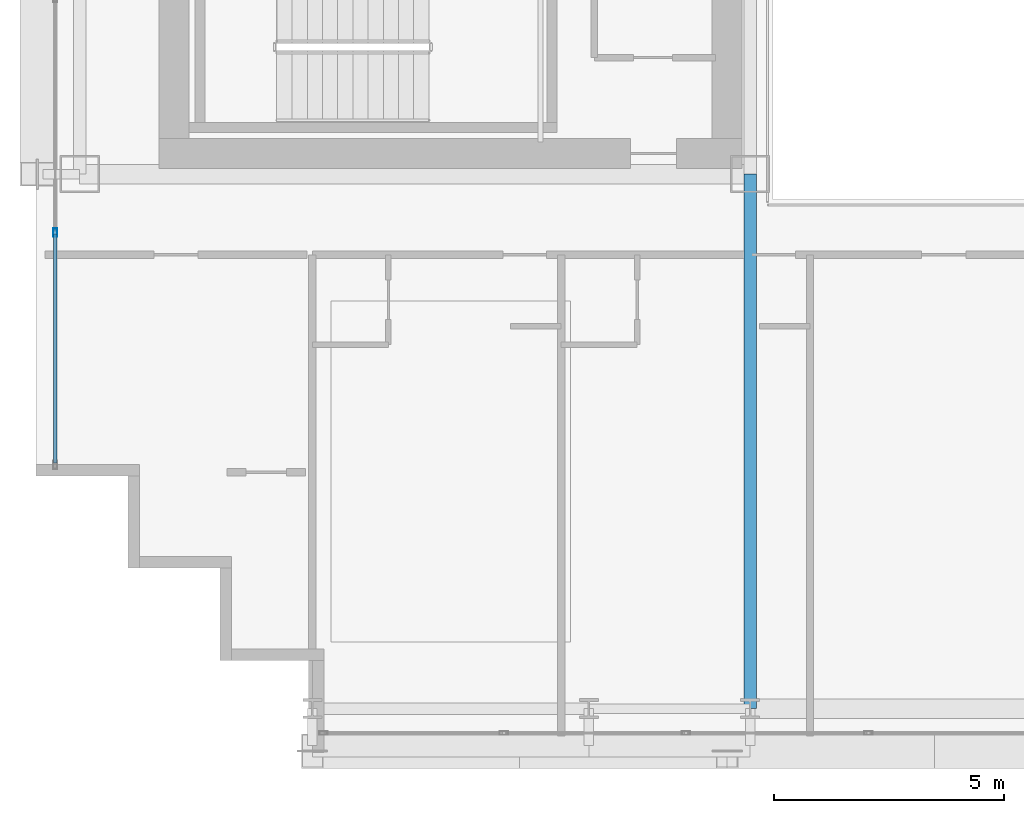
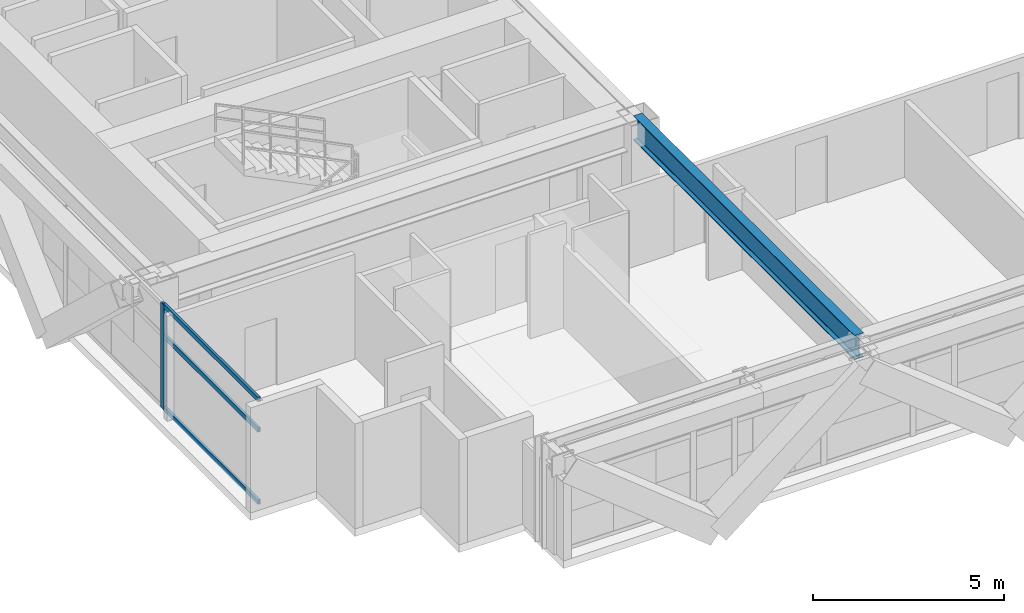
# One storey, part 3 of 35: 4 members, 1 beam, 1 element without a shape of its own.
"""IFC4 building model written with IfcOpenShell, lengths in metres."""

from ifc_helpers import new_model, si_unit, direction, frame, origin, origin_2d, place, context, subcontext, project, spatial, hollow_rectangle, i_section, extrude, source, transform, mapped, material, layer, layer_set, material_profile, profile_set, type_object, element, aggregate, save


model = new_model("IFC4")

# Units and contexts
model_context = context("Model", 3, precision=1e-05, world=origin(), true_north=direction((0.0, 1.0)))
body_context = subcontext(model_context, "Body", "Model", "MODEL_VIEW")
ifc_project = project(units=[si_unit("LENGTHUNIT", "METRE"), si_unit("AREAUNIT", "SQUARE_METRE"), si_unit("VOLUMEUNIT", "CUBIC_METRE"), si_unit("PLANEANGLEUNIT", "RADIAN"), si_unit("MASSUNIT", "GRAM", prefix="KILO")], contexts=[model_context])

# Site, building, storey
site_placement = place(None, origin())
site = spatial("IfcSite", under=ifc_project, at=site_placement, CompositionType="ELEMENT")
building_placement = place(site_placement, origin())
building = spatial("IfcBuilding", under=site, at=building_placement, Name="Ocotamira Hotel", CompositionType="ELEMENT")
storey_placement = place(building_placement, frame((0.0, 0.0, 122.39990234375)))
storey = spatial("IfcBuildingStorey", under=building, at=storey_placement, Name="L30", CompositionType="ELEMENT", Elevation=122.39990234375)

# Beam
ifc_material_1 = material(Name="Steel ASTM A992 Grade 50", Category="steel")
ifc_material_profile_1 = material_profile(ifc_material_1, i_section(OverallWidth=0.26611328125, OverallDepth=0.779052734375, WebThickness=0.0166015625, FlangeThickness=0.030029296875, FilletRadius=0.01806640625, at=origin_2d()), Name="W30X148")
ifc_profile_set_1 = profile_set([ifc_material_profile_1], Name="Steel ASTM A992 Grade 50")
beam_type = type_object("IfcBeamType", Name="BM-GIRD-W30X148", PredefinedType="BEAM", material=ifc_profile_set_1)
shared_shape_1 = source(origin(), body_context, "Body", "SweptSolid", [
    extrude(i_section(OverallWidth=0.26611328125, OverallDepth=0.779052734375, WebThickness=0.0166015625, FlangeThickness=0.030029296875, FilletRadius=0.01806640625, at=origin_2d()), origin(), (0.0, 0.0, 1.0), 11.60009765625),
])
beam_placement = place(storey_placement, frame((23.5, 2.949951171875, 2.970703125), z_axis=(0.0, 1.0, 0.0), x_axis=(-1.0, 0.0, 0.0)))
element("IfcBeam", 1, at=beam_placement, inside=storey, type_object=beam_type, Name="L30 Beam X23.5 Y2.95-14.55", PredefinedType="BEAM", context=body_context, shape_type="MappedRepresentation", body=[
    mapped(shared_shape_1, transform((0.0, 0.0, 0.0), scale=1.0)),
])

# Curtain wall, members
ifc_material_2 = material(Name="Anodised pale-metal aluminium and solar glass", Category="aluminium")
ifc_layer = layer(ifc_material_2, 0.179931640625)
ifc_layer_set = layer_set([ifc_layer], Name="Anodised pale-metal aluminium and solar glass")
curtain_wall_type = type_object("IfcCurtainWallType", Name="CW-SYS3-Z2", PredefinedType="NOTDEFINED", material=ifc_layer_set)
curtain_wall_placement = place(storey_placement, origin())
curtain_wall = element("IfcCurtainWall", 2, at=curtain_wall_placement, inside=storey, type_object=curtain_wall_type, Name="L30 Curtain Wall CW-3 CW-L30-W", PredefinedType="NOTDEFINED")
ifc_material_3 = material(Name="Anodised pale-metal aluminium 6063-T6", Category="aluminium")
ifc_material_profile_2 = material_profile(ifc_material_3, hollow_rectangle(XDim=0.074951171875, YDim=0.14990234375, WallThickness=0.006103515625, at=origin_2d()), Name="HSS150X75X6")
ifc_profile_set_2 = profile_set([ifc_material_profile_2], Name="Anodised pale-metal aluminium 6063-T6")
member_type_1 = type_object("IfcMemberType", Name="CWT-150X75", PredefinedType="USERDEFINED", material=ifc_profile_set_2)
shared_shape_2 = source(origin(), body_context, "Body", "SweptSolid", [
    extrude(hollow_rectangle(XDim=0.074951171875, YDim=0.14990234375, WallThickness=0.006103515625, at=origin_2d()), origin(), (0.0, 0.0, 1.0), 4.965576171875),
])
member_1_placement = place(storey_placement, frame((8.419921875, 8.280029296875, 0.03759765625), z_axis=(0.0, 1.0, 0.0), x_axis=(-1.0, 0.0, 0.0)))
member_1 = element("IfcMember", 3, at=member_1_placement, type_object=member_type_1, Name="CW-3 transom 1.1", ObjectType="TRANSOM", PredefinedType="USERDEFINED", context=body_context, shape_type="MappedRepresentation", body=[
    mapped(shared_shape_2, transform((0.0, 0.0, 0.0), scale=1.0)),
])
member_2_placement = place(storey_placement, frame((8.419921875, 8.280029296875, 2.35009765625), z_axis=(0.0, 1.0, 0.0), x_axis=(-1.0, 0.0, 0.0)))
member_2 = element("IfcMember", 4, at=member_2_placement, type_object=member_type_1, Name="CW-3 transom 1.2", ObjectType="TRANSOM", PredefinedType="USERDEFINED", context=body_context, shape_type="MappedRepresentation", body=[
    mapped(shared_shape_2, transform((0.0, 0.0, 0.0), scale=1.0)),
])
member_3_placement = place(storey_placement, frame((8.419921875, 8.280029296875, 3.322509765625), z_axis=(0.0, 1.0, 0.0), x_axis=(-1.0, 0.0, 0.0)))
member_3 = element("IfcMember", 5, at=member_3_placement, type_object=member_type_1, Name="CW-3 transom 1.3", ObjectType="TRANSOM", PredefinedType="USERDEFINED", context=body_context, shape_type="MappedRepresentation", body=[
    mapped(shared_shape_2, transform((0.0, 0.0, 0.0), scale=1.0)),
])
ifc_material_profile_3 = material_profile(ifc_material_3, hollow_rectangle(XDim=0.080078125, YDim=0.179931640625, WallThickness=0.006103515625, at=origin_2d()), Name="HSS180X80X6")
ifc_profile_set_3 = profile_set([ifc_material_profile_3], Name="Anodised pale-metal aluminium 6063-T6")
member_type_2 = type_object("IfcMemberType", Name="CWM-180X75", PredefinedType="MULLION", material=ifc_profile_set_3)
shared_shape_3 = source(origin(), body_context, "Body", "SweptSolid", [
    extrude(hollow_rectangle(XDim=0.080078125, YDim=0.179931640625, WallThickness=0.006103515625, at=origin_2d()), origin(), (0.0, 0.0, 1.0), 3.360107421875),
])
member_4_placement = place(storey_placement, frame((8.419921875, 13.28564453125, 0.0), z_axis=(0.0, 0.0, 1.0), x_axis=(-1.0, 0.0, 0.0)))
member_4 = element("IfcMember", 6, at=member_4_placement, type_object=member_type_2, Name="CW-3 mullion 2", PredefinedType="MULLION", context=body_context, shape_type="MappedRepresentation", body=[
    mapped(shared_shape_3, transform((0.0, 0.0, 0.0), scale=1.0)),
])
aggregate(curtain_wall, [member_4, member_1, member_2, member_3])

save(model, "model.ifc")
